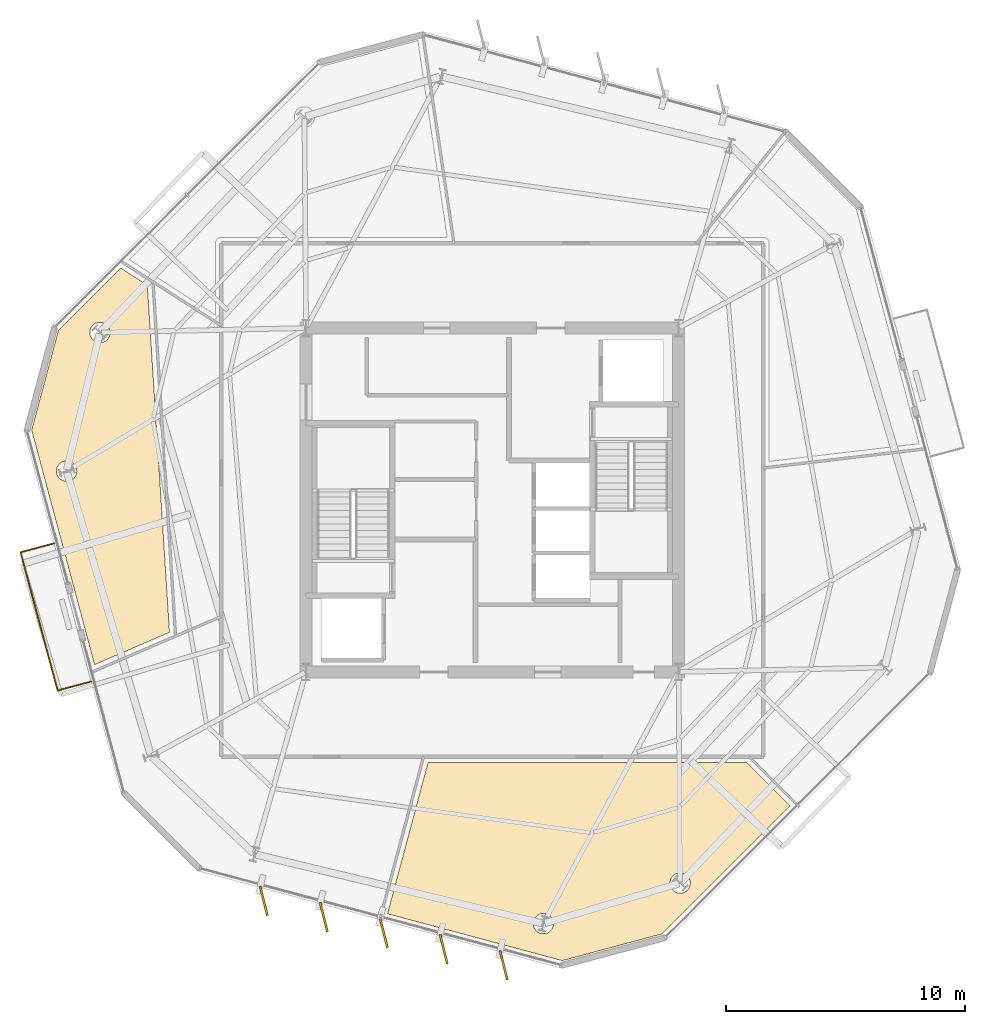
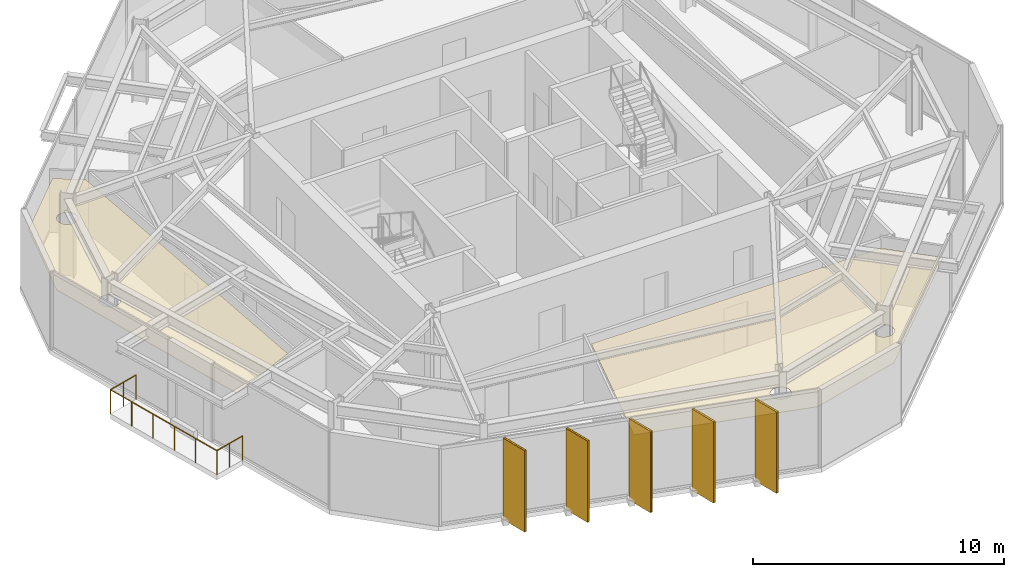
# One storey, part 10 of 12: 7 coverings, 5 shading devices, 1 railing.
"""IFC4 building model written with IfcOpenShell, lengths in metres."""

from ifc_helpers import new_model, si_unit, direction, frame, origin, origin_2d, place, context, subcontext, project, spatial, polyline, rectangle, circle, outline, extrude, material, layer, layer_set, type_object, element, save


model = new_model("IFC4")

# Units and contexts
model_context = context("Model", 3, precision=1e-05, world=origin(), true_north=direction((0.0, 1.0)))
body_context = subcontext(model_context, "Body", "Model", "MODEL_VIEW")
ifc_project = project(units=[si_unit("LENGTHUNIT", "METRE"), si_unit("AREAUNIT", "SQUARE_METRE"), si_unit("VOLUMEUNIT", "CUBIC_METRE"), si_unit("PLANEANGLEUNIT", "RADIAN"), si_unit("MASSUNIT", "GRAM", prefix="KILO")], contexts=[model_context])

# Site, building, storey
site_placement = place(None, origin())
site = spatial("IfcSite", under=ifc_project, at=site_placement, CompositionType="ELEMENT")
building_placement = place(site_placement, origin())
building = spatial("IfcBuilding", under=site, at=building_placement, Name="Kranzbogen Civic Tower", CompositionType="ELEMENT")
storey_placement = place(building_placement, frame((0.0, 0.0, 204.800048828125)))
storey = spatial("IfcBuildingStorey", under=building, at=storey_placement, Name="L49", CompositionType="ELEMENT", Elevation=204.800048828125)

# Coverings
ifc_material_1 = material(Name="Pale Anodised Aluminium", Category="aluminium")
ifc_layer_1 = layer(ifc_material_1, 0.02490234375, Name="Pale Anodised Aluminium")
ifc_layer_set_1 = layer_set([ifc_layer_1], Name="Pale Anodised Aluminium")
covering_type_1 = type_object("IfcCoveringType", Name="Anodised Aluminium Vertical Fin Cladding 25 mm", PredefinedType="CLADDING", material=ifc_layer_set_1)
for number, where, z_axis, x_axis, name in (
    (1, (15.429931640625, 8.20703125, -0.14013671875), (0.0, 0.0, 1.0), (0.240770155341, -0.970582161539, 0.0), "L49 vertical fin pale-metal cladding F4-1"),
    (2, (17.94091796875, 7.534912109375, -0.14013671875), (0.0, 0.0, 1.0), (0.240770155341, -0.970582161539, 0.0), "L49 vertical fin pale-metal cladding F4-2"),
    (3, (20.452880859375, 6.862060546875, -0.14013671875), (0.0, 0.0, 1.0), (0.240770155341, -0.970582161539, 0.0), "L49 vertical fin pale-metal cladding F4-3"),
    (4, (22.964111328125, 6.18896484375, -0.14013671875), (0.0, 0.0, 1.0), (0.240770155341, -0.970582161539, 0.0), "L49 vertical fin pale-metal cladding F4-4"),
    (5, (25.47607421875, 5.51611328125, -0.14013671875), (0.0, 0.0, 1.0), (0.240770155341, -0.970582161539, 0.0), "L49 vertical fin pale-metal cladding F4-5"),
):
    element("IfcCovering", number, at=place(storey_placement, frame(where, z_axis=z_axis, x_axis=x_axis)), inside=storey, type_object=covering_type_1, Name=name, PredefinedType="CLADDING", context=body_context, shape_type="SweptSolid", body=[
        extrude(rectangle(XDim=1.25, YDim=0.10009765625, at=origin_2d()), origin(), (0.0, 0.0, 1.0), 3.9599609375),
    ])

# Shading devices
ifc_material_2 = material(Name="Anodised Bronze Aluminium", Category="aluminium")
shading_device_type = type_object("IfcShadingDeviceType", Name="Anodised Bronze Vertical Facade Fin 1250x80", PredefinedType="USERDEFINED", material=ifc_material_2)
for number, where, z_axis, x_axis, name in (
    (6, (15.429931640625, 8.20703125, -0.14013671875), (0.0, 0.0, 1.0), (0.240770155341, -0.970582161539, 0.0), "L49 vertical exterior shading fin F4-1"),
    (7, (17.94091796875, 7.534912109375, -0.14013671875), (0.0, 0.0, 1.0), (0.240770155341, -0.970582161539, 0.0), "L49 vertical exterior shading fin F4-2"),
    (8, (20.452880859375, 6.862060546875, -0.14013671875), (0.0, 0.0, 1.0), (0.240770155341, -0.970582161539, 0.0), "L49 vertical exterior shading fin F4-3"),
    (9, (22.964111328125, 6.18896484375, -0.14013671875), (0.0, 0.0, 1.0), (0.240770155341, -0.970582161539, 0.0), "L49 vertical exterior shading fin F4-4"),
    (10, (25.47607421875, 5.51611328125, -0.14013671875), (0.0, 0.0, 1.0), (0.240770155341, -0.970582161539, 0.0), "L49 vertical exterior shading fin F4-5"),
):
    element("IfcShadingDevice", number, at=place(storey_placement, frame(where, z_axis=z_axis, x_axis=x_axis)), inside=storey, type_object=shading_device_type, Name=name, ObjectType="FIN", PredefinedType="USERDEFINED", context=body_context, shape_type="SweptSolid", body=[
        extrude(rectangle(XDim=1.25, YDim=0.080078125, at=origin_2d()), origin(), (0.0, 0.0, 1.0), 3.9599609375),
    ])

# Railing
railing_type = type_object("IfcRailingType", Name="Cantilevered Balcony Glass and Bronze Balustrade 1200", PredefinedType="BALUSTRADE", material=ifc_material_2)
railing_placement = place(storey_placement, frame((6.64404296875, 23.18701171875, 0.0)))
element("IfcRailing", 11, at=railing_placement, inside=storey, type_object=railing_type, Name="L49 exterior terrace balustrade L49-TB2", PredefinedType="BALUSTRADE", context=body_context, shape_type="SweptSolid", body=[
    extrude(circle(Radius=0.02392578125, at=origin_2d()), frame((0.0, 0.0, 1.17578125), z_axis=(-0.965999865875, -0.258542567344, 0.0), x_axis=(0.258542567344, -0.965999865875, 0.0)), (0.0, 0.0, 1.0), 1.450439453125),
    extrude(circle(Radius=0.02392578125, at=origin_2d()), frame((-1.401123046875, -0.375, 1.17578125), z_axis=(0.258855417208, -0.965916079679, 0.0), x_axis=(0.965916079679, 0.258855417208, 0.0)), (0.0, 0.0, 1.0), 5.99951171875),
    extrude(circle(Radius=0.02392578125, at=origin_2d()), frame((0.15185546875, -6.169921875, 1.17578125), z_axis=(0.965999865875, 0.258542567344, 0.0), x_axis=(-0.258542567344, 0.965999865875, 0.0)), (0.0, 0.0, 1.0), 1.450439453125),
    extrude(circle(Radius=0.02099609375, at=origin_2d()), origin(), (0.0, 0.0, 1.0), 1.15185546875),
    extrude(circle(Radius=0.02099609375, at=origin_2d()), frame((-0.70068359375, -0.1875, 0.0)), (0.0, 0.0, 1.0), 1.15185546875),
    extrude(circle(Radius=0.02099609375, at=origin_2d()), frame((-1.401123046875, -0.375, 0.0)), (0.0, 0.0, 1.0), 1.15185546875),
    extrude(circle(Radius=0.02099609375, at=origin_2d()), frame((-1.090576171875, -1.533935546875, 0.0)), (0.0, 0.0, 1.0), 1.15185546875),
    extrude(circle(Radius=0.02099609375, at=origin_2d()), frame((-0.780029296875, -2.69287109375, 0.0)), (0.0, 0.0, 1.0), 1.15185546875),
    extrude(circle(Radius=0.02099609375, at=origin_2d()), frame((-0.46923828125, -3.85205078125, 0.0)), (0.0, 0.0, 1.0), 1.15185546875),
    extrude(circle(Radius=0.02099609375, at=origin_2d()), frame((-0.15869140625, -5.010986328125, 0.0)), (0.0, 0.0, 1.0), 1.15185546875),
    extrude(circle(Radius=0.02099609375, at=origin_2d()), frame((0.15185546875, -6.169921875, 0.0)), (0.0, 0.0, 1.0), 1.15185546875),
    extrude(circle(Radius=0.02099609375, at=origin_2d()), frame((0.8525390625, -5.982421875, 0.0)), (0.0, 0.0, 1.0), 1.15185546875),
    extrude(circle(Radius=0.02099609375, at=origin_2d()), frame((1.552978515625, -5.794921875, 0.0)), (0.0, 0.0, 1.0), 1.15185546875),
])

# Coverings
ifc_material_3 = material(Name="Perforated Acoustic Gypsum Ceiling")
ifc_layer_2 = layer(ifc_material_3, 0.02490234375, Name="Perforated Acoustic Gypsum Ceiling")
ifc_layer_set_2 = layer_set([ifc_layer_2], Name="Perforated Acoustic Gypsum Ceiling")
covering_type_2 = type_object("IfcCoveringType", Name="Perforated Acoustic Mineral Ceiling Tile 25 mm", PredefinedType="CEILING", material=ifc_layer_set_2)
covering_1_placement = place(storey_placement, frame((0.0, 0.0, 2.75)))
element("IfcCovering", 12, at=covering_1_placement, inside=storey, type_object=covering_type_2, Name="L49 Urban Design Workshop acoustic ceiling", PredefinedType="CEILING", context=body_context, shape_type="SweptSolid", body=[
    extrude(outline(polyline([(9.43701171875, 34.715087890625), (10.552001953125, 33.998046875), (11.48095703125, 19.4560546875), (8.341064453125, 18.10595703125), (5.708984375, 27.929931640625), (6.8291015625, 32.10791015625), (9.43701171875, 34.715087890625)]), holes=[polyline([(7.56494140625, 26.0458984375), (7.547119140625, 26.008056640625), (7.52587890625, 25.972900390625), (7.5009765625, 25.93896484375), (7.472900390625, 25.907958984375), (7.44189453125, 25.8798828125), (7.407958984375, 25.85498046875), (7.373046875, 25.833984375), (7.3349609375, 25.81591796875), (7.2958984375, 25.802001953125), (7.2548828125, 25.7919921875), (7.214111328125, 25.785888671875), (7.172119140625, 25.783935546875), (7.1298828125, 25.785888671875), (7.089111328125, 25.7919921875), (7.048095703125, 25.802001953125), (7.009033203125, 25.81591796875), (6.970947265625, 25.833984375), (6.93603515625, 25.85498046875), (6.902099609375, 25.8798828125), (6.87109375, 25.907958984375), (6.843017578125, 25.93896484375), (6.818115234375, 25.972900390625), (6.797119140625, 26.008056640625), (6.779052734375, 26.0458984375), (6.764892578125, 26.0849609375), (6.7548828125, 26.1259765625), (6.7490234375, 26.1669921875), (6.7470703125, 26.208984375), (6.7490234375, 26.2509765625), (6.7548828125, 26.2919921875), (6.764892578125, 26.3330078125), (6.779052734375, 26.3720703125), (6.797119140625, 26.409912109375), (6.818115234375, 26.445068359375), (6.843017578125, 26.47900390625), (6.87109375, 26.510009765625), (6.902099609375, 26.5380859375), (6.93603515625, 26.56298828125), (6.970947265625, 26.583984375), (7.009033203125, 26.60205078125), (7.048095703125, 26.615966796875), (7.089111328125, 26.6259765625), (7.1298828125, 26.632080078125), (7.172119140625, 26.634033203125), (7.214111328125, 26.632080078125), (7.2548828125, 26.6259765625), (7.2958984375, 26.615966796875), (7.3349609375, 26.60205078125), (7.373046875, 26.583984375), (7.407958984375, 26.56298828125), (7.44189453125, 26.5380859375), (7.472900390625, 26.510009765625), (7.5009765625, 26.47900390625), (7.52587890625, 26.445068359375), (7.547119140625, 26.409912109375), (7.56494140625, 26.3720703125), (7.5791015625, 26.3330078125), (7.589111328125, 26.2919921875), (7.594970703125, 26.2509765625), (7.596923828125, 26.208984375), (7.594970703125, 26.1669921875), (7.589111328125, 26.1259765625), (7.5791015625, 26.0849609375), (7.56494140625, 26.0458984375)]), polyline([(8.9599609375, 31.85302734375), (8.94189453125, 31.81494140625), (8.9208984375, 31.780029296875), (8.89599609375, 31.74609375), (8.867919921875, 31.715087890625), (8.8369140625, 31.68701171875), (8.802978515625, 31.662109375), (8.76806640625, 31.64111328125), (8.72998046875, 31.623046875), (8.69091796875, 31.60888671875), (8.64990234375, 31.59912109375), (8.60888671875, 31.593017578125), (8.56689453125, 31.591064453125), (8.52490234375, 31.593017578125), (8.48388671875, 31.59912109375), (8.443115234375, 31.60888671875), (8.404052734375, 31.623046875), (8.365966796875, 31.64111328125), (8.3310546875, 31.662109375), (8.297119140625, 31.68701171875), (8.26611328125, 31.715087890625), (8.238037109375, 31.74609375), (8.212890625, 31.780029296875), (8.19189453125, 31.81494140625), (8.174072265625, 31.85302734375), (8.159912109375, 31.89208984375), (8.14990234375, 31.93310546875), (8.14404296875, 31.97412109375), (8.14208984375, 32.01611328125), (8.14404296875, 32.05810546875), (8.14990234375, 32.09912109375), (8.159912109375, 32.139892578125), (8.174072265625, 32.178955078125), (8.19189453125, 32.217041015625), (8.212890625, 32.251953125), (8.238037109375, 32.285888671875), (8.26611328125, 32.31689453125), (8.297119140625, 32.344970703125), (8.3310546875, 32.3701171875), (8.365966796875, 32.39111328125), (8.404052734375, 32.408935546875), (8.443115234375, 32.423095703125), (8.48388671875, 32.43310546875), (8.52490234375, 32.43896484375), (8.56689453125, 32.44091796875), (8.60888671875, 32.43896484375), (8.64990234375, 32.43310546875), (8.69091796875, 32.423095703125), (8.72998046875, 32.408935546875), (8.76806640625, 32.39111328125), (8.802978515625, 32.3701171875), (8.8369140625, 32.344970703125), (8.867919921875, 32.31689453125), (8.89599609375, 32.285888671875), (8.9208984375, 32.251953125), (8.94189453125, 32.217041015625), (8.9599609375, 32.178955078125), (8.97412109375, 32.139892578125), (8.98388671875, 32.09912109375), (8.989990234375, 32.05810546875), (8.991943359375, 32.01611328125), (8.989990234375, 31.97412109375), (8.98388671875, 31.93310546875), (8.97412109375, 31.89208984375), (8.9599609375, 31.85302734375)])]), origin(), (0.0, 0.0, 1.0), 0.02490234375),
])
covering_2_placement = place(storey_placement, frame((0.0, 0.0, 2.75)))
element("IfcCovering", 13, at=covering_2_placement, inside=storey, type_object=covering_type_2, Name="L49 Citizen Services Kiosk acoustic ceiling", PredefinedType="CEILING", context=body_context, shape_type="SweptSolid", body=[
    extrude(outline(polyline([(27.929931640625, 5.708984375), (20.610107421875, 7.6708984375), (22.30810546875, 14.0048828125), (35.64892578125, 14.0048828125), (37.466064453125, 12.18798828125), (32.10791015625, 6.8291015625), (27.929931640625, 5.708984375)]), holes=[polyline([(27.532958984375, 7.096923828125), (27.514892578125, 7.05908203125), (27.493896484375, 7.02392578125), (27.468994140625, 6.989990234375), (27.44091796875, 6.958984375), (27.409912109375, 6.930908203125), (27.3759765625, 6.906005859375), (27.341064453125, 6.885009765625), (27.302978515625, 6.866943359375), (27.263916015625, 6.85302734375), (27.222900390625, 6.843017578125), (27.181884765625, 6.8369140625), (27.139892578125, 6.8349609375), (27.097900390625, 6.8369140625), (27.056884765625, 6.843017578125), (27.01611328125, 6.85302734375), (26.97705078125, 6.866943359375), (26.93896484375, 6.885009765625), (26.904052734375, 6.906005859375), (26.8701171875, 6.930908203125), (26.839111328125, 6.958984375), (26.81103515625, 6.989990234375), (26.785888671875, 7.02392578125), (26.764892578125, 7.05908203125), (26.7470703125, 7.096923828125), (26.73291015625, 7.135986328125), (26.722900390625, 7.177001953125), (26.717041015625, 7.218017578125), (26.715087890625, 7.260009765625), (26.717041015625, 7.302001953125), (26.722900390625, 7.343017578125), (26.73291015625, 7.384033203125), (26.7470703125, 7.423095703125), (26.764892578125, 7.4609375), (26.785888671875, 7.49609375), (26.81103515625, 7.530029296875), (26.839111328125, 7.56103515625), (26.8701171875, 7.589111328125), (26.904052734375, 7.614013671875), (26.93896484375, 7.635009765625), (26.97705078125, 7.653076171875), (27.01611328125, 7.6669921875), (27.056884765625, 7.677001953125), (27.097900390625, 7.68310546875), (27.139892578125, 7.68505859375), (27.181884765625, 7.68310546875), (27.222900390625, 7.677001953125), (27.263916015625, 7.6669921875), (27.302978515625, 7.653076171875), (27.341064453125, 7.635009765625), (27.3759765625, 7.614013671875), (27.409912109375, 7.589111328125), (27.44091796875, 7.56103515625), (27.468994140625, 7.530029296875), (27.493896484375, 7.49609375), (27.514892578125, 7.4609375), (27.532958984375, 7.423095703125), (27.547119140625, 7.384033203125), (27.556884765625, 7.343017578125), (27.56298828125, 7.302001953125), (27.56494140625, 7.260009765625), (27.56298828125, 7.218017578125), (27.556884765625, 7.177001953125), (27.547119140625, 7.135986328125), (27.532958984375, 7.096923828125)]), polyline([(33.260009765625, 8.79296875), (33.241943359375, 8.7548828125), (33.220947265625, 8.719970703125), (33.196044921875, 8.68603515625), (33.16796875, 8.655029296875), (33.136962890625, 8.626953125), (33.10302734375, 8.60205078125), (33.068115234375, 8.5810546875), (33.030029296875, 8.56298828125), (32.990966796875, 8.549072265625), (32.949951171875, 8.5390625), (32.908935546875, 8.532958984375), (32.866943359375, 8.531005859375), (32.824951171875, 8.532958984375), (32.783935546875, 8.5390625), (32.742919921875, 8.549072265625), (32.7041015625, 8.56298828125), (32.666015625, 8.5810546875), (32.631103515625, 8.60205078125), (32.596923828125, 8.626953125), (32.56591796875, 8.655029296875), (32.5380859375, 8.68603515625), (32.512939453125, 8.719970703125), (32.491943359375, 8.7548828125), (32.47412109375, 8.79296875), (32.4599609375, 8.83203125), (32.449951171875, 8.873046875), (32.444091796875, 8.9140625), (32.44189453125, 8.9560546875), (32.444091796875, 8.998046875), (32.449951171875, 9.0390625), (32.4599609375, 9.080078125), (32.47412109375, 9.118896484375), (32.491943359375, 9.156982421875), (32.512939453125, 9.19189453125), (32.5380859375, 9.22607421875), (32.56591796875, 9.257080078125), (32.596923828125, 9.284912109375), (32.631103515625, 9.31005859375), (32.666015625, 9.3310546875), (32.7041015625, 9.34912109375), (32.742919921875, 9.363037109375), (32.783935546875, 9.373046875), (32.824951171875, 9.37890625), (32.866943359375, 9.381103515625), (32.908935546875, 9.37890625), (32.949951171875, 9.373046875), (32.990966796875, 9.363037109375), (33.030029296875, 9.34912109375), (33.068115234375, 9.3310546875), (33.10302734375, 9.31005859375), (33.136962890625, 9.284912109375), (33.16796875, 9.257080078125), (33.196044921875, 9.22607421875), (33.220947265625, 9.19189453125), (33.241943359375, 9.156982421875), (33.260009765625, 9.118896484375), (33.27392578125, 9.080078125), (33.283935546875, 9.0390625), (33.2900390625, 8.998046875), (33.2919921875, 8.9560546875), (33.2900390625, 8.9140625), (33.283935546875, 8.873046875), (33.27392578125, 8.83203125), (33.260009765625, 8.79296875)])]), origin(), (0.0, 0.0, 1.0), 0.02490234375),
])

save(model, "model.ifc")
